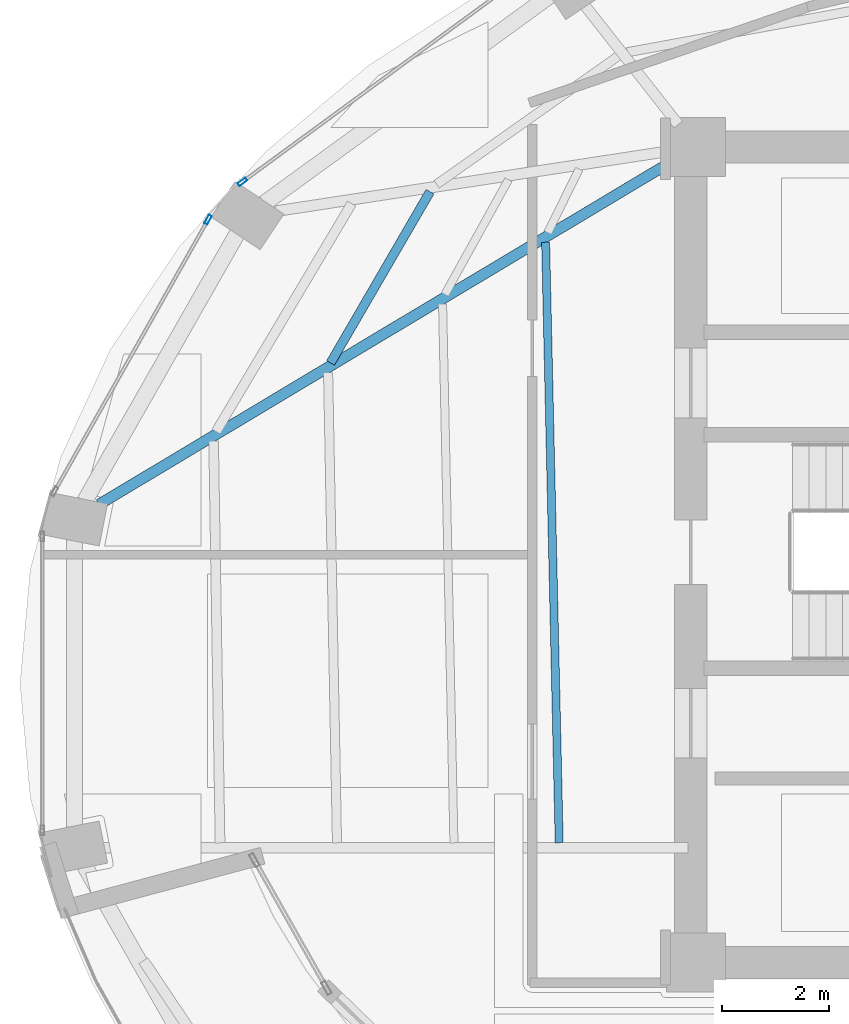
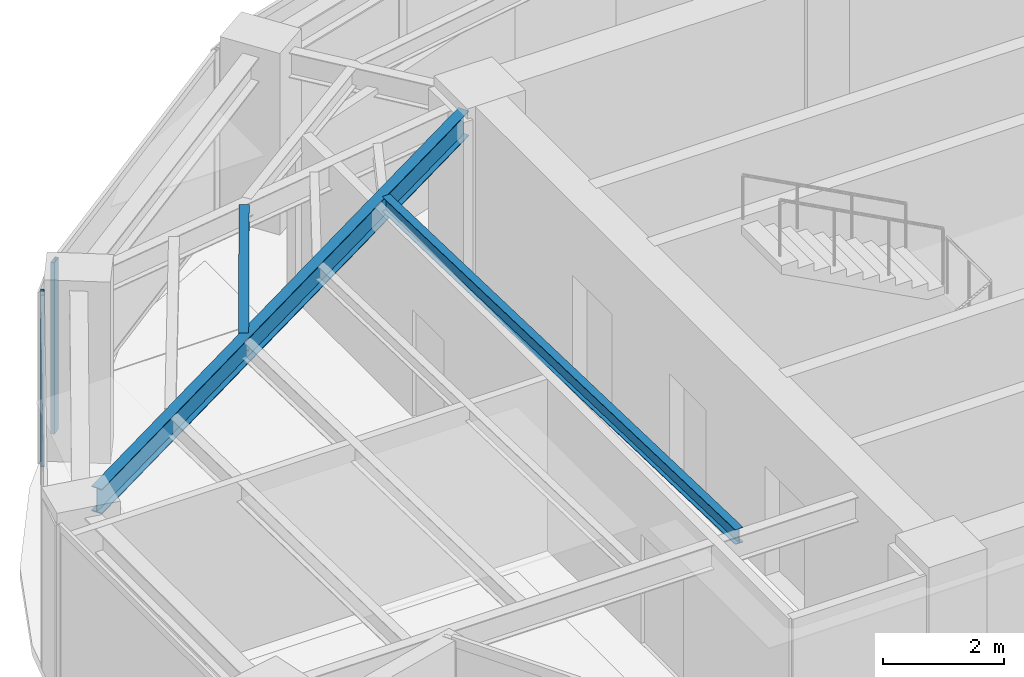
# One storey, part 7 of 21: 3 beams, 2 members, 2 elements without a shape of their own.
"""IFC4 building model written with IfcOpenShell, lengths in metres."""

from ifc_helpers import new_model, si_unit, direction, frame, origin, origin_2d, place, context, subcontext, project, spatial, hollow_rectangle, i_section, extrude, material, layer, layer_set, material_profile, profile_set, type_object, element, aggregate, save


model = new_model("IFC4")

# Units and contexts
model_context = context("Model", 3, precision=1e-05, world=origin(), true_north=direction((0.0, 1.0)))
body_context = subcontext(model_context, "Body", "Model", "MODEL_VIEW")
ifc_project = project(units=[si_unit("LENGTHUNIT", "METRE"), si_unit("AREAUNIT", "SQUARE_METRE"), si_unit("VOLUMEUNIT", "CUBIC_METRE"), si_unit("PLANEANGLEUNIT", "RADIAN"), si_unit("MASSUNIT", "GRAM", prefix="KILO")], contexts=[model_context])

# Site, building, storey
site_placement = place(None, origin())
site = spatial("IfcSite", under=ifc_project, at=site_placement, CompositionType="ELEMENT")
building_placement = place(site_placement, origin())
building = spatial("IfcBuilding", under=site, at=building_placement, Name="Lazwardi Medical Tower", CompositionType="ELEMENT")
storey_placement = place(building_placement, frame((0.0, 0.0, 216.719970703125)))
storey = spatial("IfcBuildingStorey", under=building, at=storey_placement, Name="L56", CompositionType="ELEMENT", Elevation=216.719970703125)

# Beams
ifc_material_1 = material(Name="Steel S355", Category="steel")
ifc_material_profile_1 = material_profile(ifc_material_1, i_section(OverallWidth=0.199951171875, OverallDepth=0.5, WebThickness=0.01025390625, FlangeThickness=0.01611328125, at=origin_2d()), Name="IPE 500")
ifc_profile_set_1 = profile_set([ifc_material_profile_1], Name="Steel S355")
beam_type_1 = type_object("IfcBeamType", Name="BM-RG-W3", PredefinedType="BEAM", material=ifc_profile_set_1)
beam_1_placement = place(storey_placement, frame((15.27392578125, 28.937744140625, 3.197998046875), z_axis=(0.857944804603, 0.513741873176, 0.0), x_axis=(-0.513741873176, 0.857944804603, 0.0)))
element("IfcBeam", 1, at=beam_1_placement, inside=storey, type_object=beam_type_1, Name="Radial girder RG-04 R12 L56", PredefinedType="BEAM", context=body_context, shape_type="SweptSolid", body=[
    extrude(i_section(OverallWidth=0.199951171875, OverallDepth=0.5, WebThickness=0.01025390625, FlangeThickness=0.01611328125, at=origin_2d()), origin(), (0.0, 0.0, 1.0), 12.43310546875),
])
ifc_material_profile_2 = material_profile(ifc_material_1, i_section(OverallWidth=0.169921875, OverallDepth=0.360107421875, WebThickness=0.008056640625, FlangeThickness=0.0126953125, at=origin_2d()), Name="IPE 360")
ifc_profile_set_2 = profile_set([ifc_material_profile_2], Name="Steel S355")
beam_type_2 = type_object("IfcBeamType", Name="BM-SJ-02", PredefinedType="JOIST", material=ifc_profile_set_2)
beam_2_placement = place(storey_placement, frame((21.4423828125, 34.767578125, 3.26806640625), z_axis=(-0.50218018565, -0.864763008657, 0.0), x_axis=(0.864763008657, -0.50218018565, 0.0)))
element("IfcBeam", 2, at=beam_2_placement, inside=storey, type_object=beam_type_2, Name="Secondary joist SJ-02 R2 B11 L56", PredefinedType="JOIST", context=body_context, shape_type="SweptSolid", body=[
    extrude(i_section(OverallWidth=0.169921875, OverallDepth=0.360107421875, WebThickness=0.008056640625, FlangeThickness=0.0126953125, at=origin_2d()), origin(), (0.0, 0.0, 1.0), 3.69189453125),
])
ifc_material_profile_3 = material_profile(ifc_material_1, i_section(OverallWidth=0.14990234375, OverallDepth=0.300048828125, WebThickness=0.007080078125, FlangeThickness=0.0107421875, at=origin_2d()), Name="IPE 300")
ifc_profile_set_3 = profile_set([ifc_material_profile_3], Name="Steel S355")
beam_type_3 = type_object("IfcBeamType", Name="BM-SJ-03", PredefinedType="JOIST", material=ifc_profile_set_3)
beam_3_placement = place(storey_placement, frame((23.596435546875, 33.824951171875, 3.298095703125), z_axis=(0.022635214735, -0.999743790705, 0.0), x_axis=(0.999743790705, 0.022635214735, 0.0)))
element("IfcBeam", 3, at=beam_3_placement, inside=storey, type_object=beam_type_3, Name="Secondary joist SJ-03 R4 B12 L56", PredefinedType="JOIST", context=body_context, shape_type="SweptSolid", body=[
    extrude(i_section(OverallWidth=0.14990234375, OverallDepth=0.300048828125, WebThickness=0.007080078125, FlangeThickness=0.0107421875, at=origin_2d()), origin(), (0.0, 0.0, 1.0), 11.19580078125),
])

# Curtain wall, member
ifc_material_2 = material(Name="Anodised bronze aluminium and solar control glazing", Category="aluminium")
ifc_layer = layer(ifc_material_2, 0.18994140625)
ifc_layer_set = layer_set([ifc_layer], Name="Anodised bronze aluminium and solar control glazing")
curtain_wall_type = type_object("IfcCurtainWallType", Name="CW-SYS-04", PredefinedType="NOTDEFINED", material=ifc_layer_set)
curtain_wall_1_placement = place(storey_placement, origin())
curtain_wall_1 = element("IfcCurtainWall", 4, at=curtain_wall_1_placement, inside=storey, type_object=curtain_wall_type, Name="L56 Unitised bronze curtain wall CW-04", PredefinedType="NOTDEFINED")
ifc_material_3 = material(Name="Anodised bronze aluminium", Category="aluminium")
ifc_material_profile_4 = material_profile(ifc_material_3, hollow_rectangle(XDim=0.06494140625, YDim=0.179931640625, WallThickness=0.00390625, at=origin_2d()), Name="ALU-MULLION 180x65x4")
ifc_profile_set_4 = profile_set([ifc_material_profile_4], Name="Anodised bronze aluminium")
member_type = type_object("IfcMemberType", Name="CW-MUL-03", PredefinedType="MULLION", material=ifc_profile_set_4)
member_1_placement = place(storey_placement, frame((17.947998046875, 34.95166015625, 0.0), z_axis=(0.0, 0.0, 1.0), x_axis=(0.591268230971, -0.806474971121, 0.0)))
member_1 = element("IfcMember", 5, at=member_1_placement, type_object=member_type, Name="CW-04 mullion 2", PredefinedType="MULLION", context=body_context, shape_type="SweptSolid", body=[
    extrude(hollow_rectangle(XDim=0.06494140625, YDim=0.179931640625, WallThickness=0.00390625, at=origin_2d()), origin(), (0.0, 0.0, 1.0), 3.447998046875),
])
aggregate(curtain_wall_1, [member_1])

curtain_wall_2_placement = place(storey_placement, origin())
curtain_wall_2 = element("IfcCurtainWall", 6, at=curtain_wall_2_placement, inside=storey, type_object=curtain_wall_type, Name="L56 Unitised bronze curtain wall CW-04", PredefinedType="NOTDEFINED")
member_2_placement = place(storey_placement, frame((17.3056640625, 34.24560546875, 0.0), z_axis=(0.0, 0.0, 1.0), x_axis=(0.870651436011, -0.491900474661, 0.0)))
member_2 = element("IfcMember", 7, at=member_2_placement, type_object=member_type, Name="CW-04 mullion 1", PredefinedType="MULLION", context=body_context, shape_type="SweptSolid", body=[
    extrude(hollow_rectangle(XDim=0.06494140625, YDim=0.179931640625, WallThickness=0.00390625, at=origin_2d()), origin(), (0.0, 0.0, 1.0), 3.447998046875),
])
aggregate(curtain_wall_2, [member_2])

save(model, "model.ifc")
